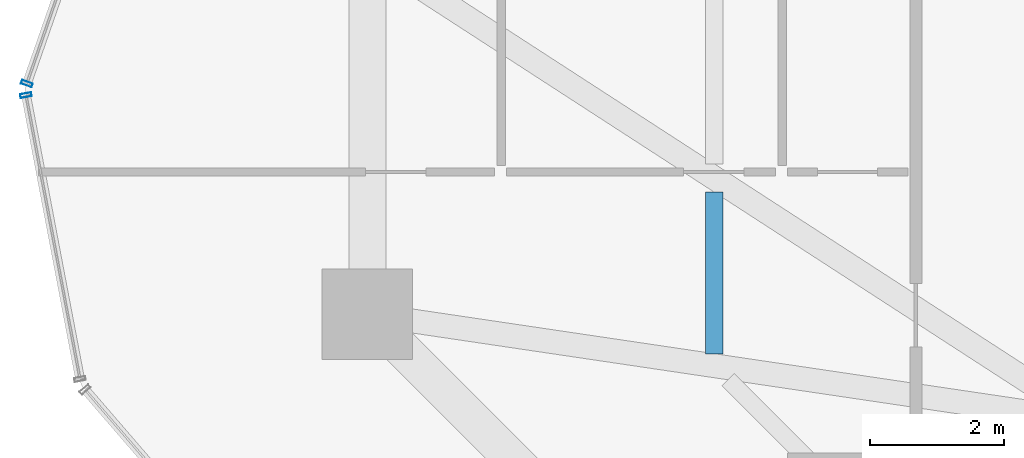
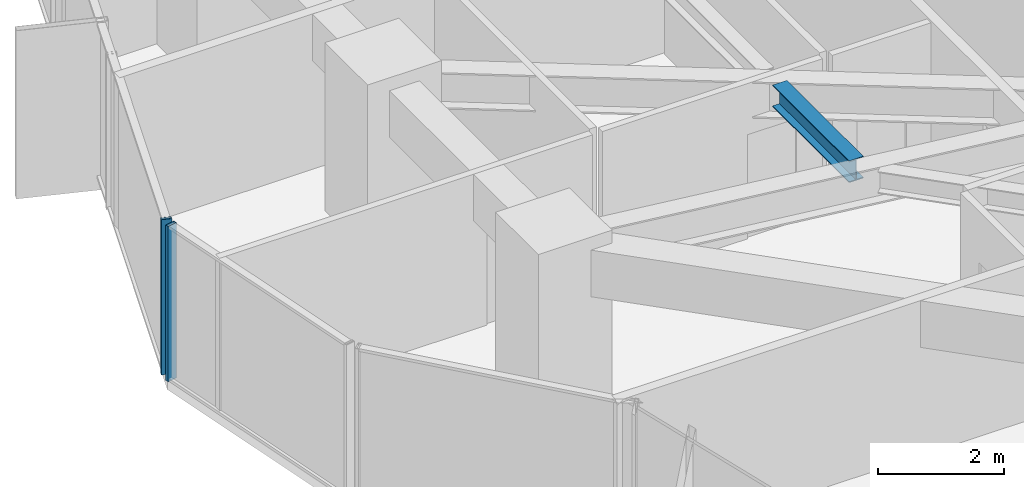
# One storey, part 10 of 38: 2 members, 1 beam, 2 elements without a shape of their own.
"""IFC4 building model written with IfcOpenShell, lengths in metres."""

from ifc_helpers import new_model, si_unit, direction, frame, origin, origin_2d, place, context, subcontext, project, spatial, hollow_rectangle, i_section, extrude, source, transform, mapped, material, layer, layer_set, material_profile, profile_set, type_object, element, aggregate, save


model = new_model("IFC4")

# Units and contexts
model_context = context("Model", 3, precision=1e-05, world=origin(), true_north=direction((0.0, 1.0)))
body_context = subcontext(model_context, "Body", "Model", "MODEL_VIEW")
ifc_project = project(units=[si_unit("LENGTHUNIT", "METRE"), si_unit("AREAUNIT", "SQUARE_METRE"), si_unit("VOLUMEUNIT", "CUBIC_METRE"), si_unit("PLANEANGLEUNIT", "RADIAN"), si_unit("MASSUNIT", "GRAM", prefix="KILO")], contexts=[model_context])

# Site, building, storey
site_placement = place(None, origin())
site = spatial("IfcSite", under=ifc_project, at=site_placement, CompositionType="ELEMENT")
building_placement = place(site_placement, origin())
building = spatial("IfcBuilding", under=site, at=building_placement, Name="Veraguas Prism Commons", CompositionType="ELEMENT")
storey_placement = place(building_placement, frame((0.0, 0.0, 60.85009765625)))
storey = spatial("IfcBuildingStorey", under=building, at=storey_placement, Name="L16", CompositionType="ELEMENT", Elevation=60.85009765625)

# Beam
ifc_material_1 = material(Name="Steel ASTM A992 Grade 50", Category="steel")
ifc_material_profile_1 = material_profile(ifc_material_1, i_section(OverallWidth=0.260986328125, OverallDepth=0.419921875, WebThickness=0.01171875, FlangeThickness=0.019287109375, at=origin_2d()), Name="W410X114")
ifc_profile_set_1 = profile_set([ifc_material_profile_1], Name="Steel ASTM A992 Grade 50")
beam_type = type_object("IfcBeamType", Name="Lower Floor Joist W410x114", PredefinedType="JOIST", material=ifc_profile_set_1)
beam_placement = place(storey_placement, frame((11.583984375, 20.430419921875, 2.789794921875), z_axis=(0.0, -1.0, 0.0), x_axis=(1.0, 0.0, 0.0)))
element("IfcBeam", 1, at=beam_placement, inside=storey, type_object=beam_type, Name="Composite Floor Joist L16-JS08", PredefinedType="JOIST", context=body_context, shape_type="SweptSolid", body=[
    extrude(i_section(OverallWidth=0.260986328125, OverallDepth=0.419921875, WebThickness=0.01171875, FlangeThickness=0.019287109375, at=origin_2d()), origin(), (0.0, 0.0, 1.0), 2.42041015625),
])

# Curtain wall, member
ifc_material_2 = material(Name="Anodised aluminium EN AW-6063 T6", Category="aluminium")
ifc_layer = layer(ifc_material_2, 0.169921875, Name="Unitised Flush Curtain Wall Zone 1", Category="aluminium")
ifc_layer_set = layer_set([ifc_layer], Name="Anodised aluminium EN AW-6063 T6")
curtain_wall_type = type_object("IfcCurtainWallType", Name="Unitised Flush Curtain Wall Zone 1", PredefinedType="NOTDEFINED", material=ifc_layer_set)
curtain_wall_1_placement = place(storey_placement, origin())
curtain_wall_1 = element("IfcCurtainWall", 2, at=curtain_wall_1_placement, inside=storey, type_object=curtain_wall_type, Name="Tower Facade Curtain Wall L16-F3", PredefinedType="NOTDEFINED")
ifc_material_profile_2 = material_profile(ifc_material_2, hollow_rectangle(XDim=0.06005859375, YDim=0.169921875, WallThickness=0.00390625, at=origin_2d()), Name="AL60X170X4")
ifc_profile_set_2 = profile_set([ifc_material_profile_2], Name="Anodised aluminium EN AW-6063 T6")
member_type = type_object("IfcMemberType", Name="Curtain Wall Mullion Lower AL 60x170x4", PredefinedType="MULLION", material=ifc_profile_set_2)
shared_shape = source(origin(), body_context, "Body", "SweptSolid", [
    extrude(hollow_rectangle(XDim=0.06005859375, YDim=0.169921875, WallThickness=0.00390625, at=origin_2d()), origin(), (0.0, 0.0, 1.0), 3.0),
])
member_1_placement = place(storey_placement, frame((1.30859375, 22.04931640625, 0.0), z_axis=(0.0, 0.0, 1.0), x_axis=(-0.329194628189, -0.944262091144, 0.0)))
member_1 = element("IfcMember", 3, at=member_1_placement, type_object=member_type, Name="CW-Z1 Mullion 5", PredefinedType="MULLION", context=body_context, shape_type="MappedRepresentation", body=[
    mapped(shared_shape, transform((0.0, 0.0, 0.0), scale=1.0)),
])
aggregate(curtain_wall_1, [member_1])

curtain_wall_2_placement = place(storey_placement, origin())
curtain_wall_2 = element("IfcCurtainWall", 4, at=curtain_wall_2_placement, inside=storey, type_object=curtain_wall_type, Name="Chamfer Curtain Wall L16-C4", PredefinedType="NOTDEFINED")
member_2_placement = place(storey_placement, frame((1.295654296875, 21.8759765625, 0.0), z_axis=(0.0, 0.0, 1.0), x_axis=(0.187053850978, -0.982349661187, 0.0)))
member_2 = element("IfcMember", 5, at=member_2_placement, type_object=member_type, Name="CW-Z1 Mullion 1", PredefinedType="MULLION", context=body_context, shape_type="MappedRepresentation", body=[
    mapped(shared_shape, transform((0.0, 0.0, 0.0), scale=1.0)),
])
aggregate(curtain_wall_2, [member_2])

save(model, "model.ifc")
